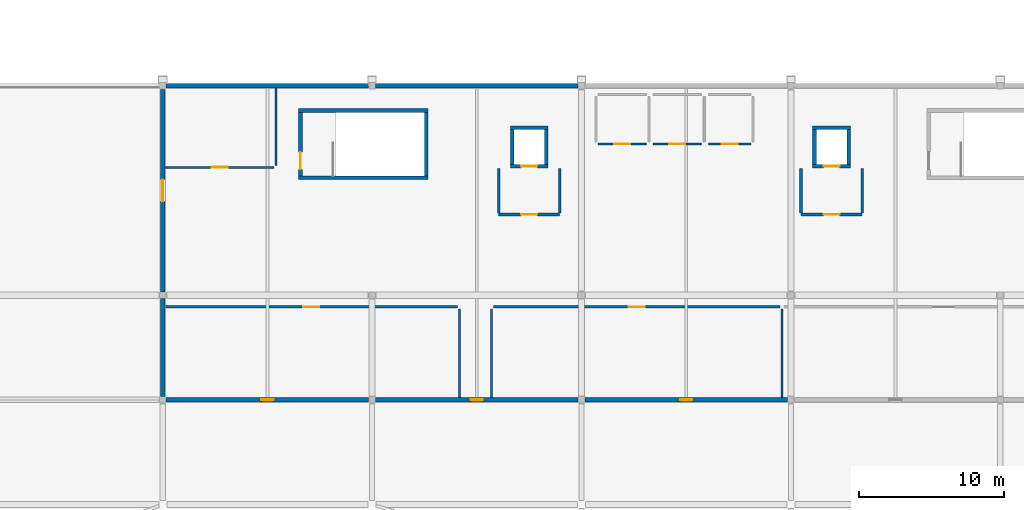
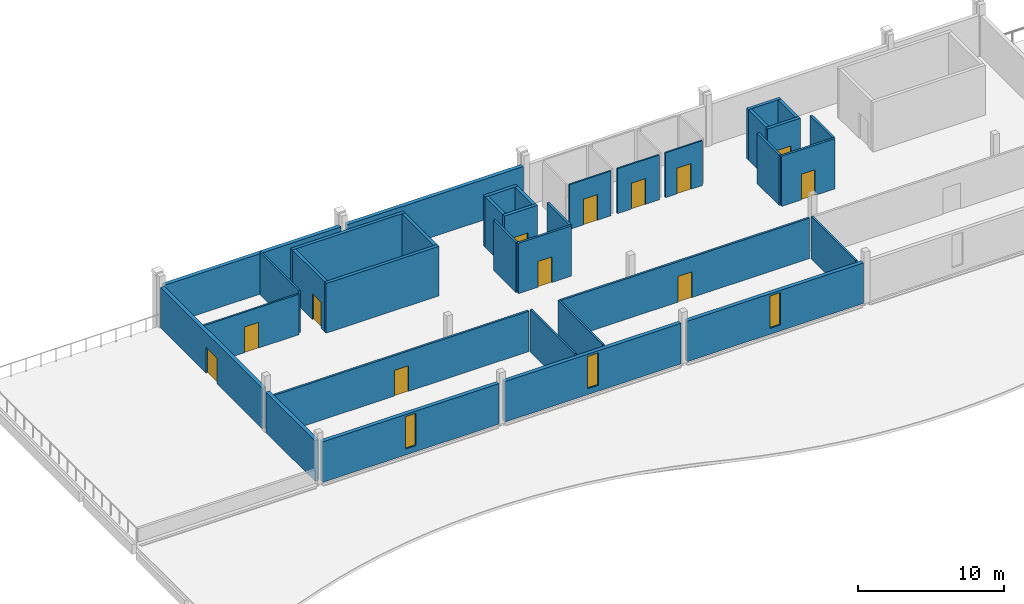
# One storey, part 6 of 23: 35 walls, 12 doors, 3 windows, 15 openings.
"""IFC4 building model written with IfcOpenShell, lengths in metres."""

from ifc_helpers import new_model, si_unit, direction, frame, frame_2d, origin, place, context, subcontext, project, spatial, rectangle, extrude, material, layer, layer_set, type_object, element, fill, save


model = new_model("IFC4")

# Units and contexts
model_context = context("Model", 3, precision=1e-05, world=origin(), true_north=direction((0.0, 1.0)))
body_context = subcontext(model_context, "Body", "Model", "MODEL_VIEW")
ifc_project = project(units=[si_unit("LENGTHUNIT", "METRE"), si_unit("AREAUNIT", "SQUARE_METRE"), si_unit("VOLUMEUNIT", "CUBIC_METRE"), si_unit("PLANEANGLEUNIT", "RADIAN"), si_unit("MASSUNIT", "GRAM", prefix="KILO")], contexts=[model_context])

# Site, building, storey
site_placement = place(None, origin())
site = spatial("IfcSite", under=ifc_project, at=site_placement, CompositionType="ELEMENT")
building_placement = place(site_placement, origin())
building = spatial("IfcBuilding", under=site, at=building_placement, Name="Cendralis Lancet Convention Centre", CompositionType="ELEMENT")
storey_placement = place(building_placement, frame((0.0, 0.0, 19.800048828125)))
storey = spatial("IfcBuildingStorey", under=building, at=storey_placement, Name="L04", CompositionType="ELEMENT", Elevation=19.800048828125)

# Wall
ifc_material_1 = material(Name="Buff sandstone ashlar and Concrete G40 (C40/50)", Category="masonry")
ifc_layer_1 = layer(ifc_material_1, 0.300048828125, Name="Buff sandstone ashlar and Concrete G40 (C40/50)")
ifc_layer_set_1 = layer_set([ifc_layer_1], Name="Buff sandstone ashlar and Concrete G40 (C40/50)")
wall_type_1 = type_object("IfcWallType", Name="ARC-EW-W300", PredefinedType="STANDARD", material=ifc_layer_set_1)
wall_1_placement = place(storey_placement, frame((14.633056640625, 36.0, 0.0), z_axis=(0.0, 0.0, 1.0), x_axis=(1.0, 0.0, 0.0)))
element("IfcWall", 1, at=wall_1_placement, inside=storey, type_object=wall_type_1, Name="L04 V4 Exterior Wall EW-07 #0231", PredefinedType="STANDARD", context=body_context, shape_type="SweptSolid", body=[
    extrude(rectangle(XDim=13.933837890625, YDim=0.300048828125, at=frame_2d((6.966796875, 0.0))), origin(), (0.0, 0.0, 1.0), 3.385009765625),
])

# Wall, opening, window
wall_2_placement = place(storey_placement, frame((28.56689453125, 14.39990234375, 0.0), z_axis=(0.0, 0.0, 1.0), x_axis=(-1.0, 0.0, 0.0)))
wall_2 = element("IfcWall", 2, at=wall_2_placement, inside=storey, type_object=wall_type_1, Name="L04 V4 Exterior Wall EW-07 #0232", PredefinedType="STANDARD", context=body_context, shape_type="SweptSolid", body=[
    extrude(rectangle(XDim=13.933837890625, YDim=0.300048828125, at=frame_2d((6.966796875, 0.0))), origin(), (0.0, 0.0, 1.0), 3.385009765625),
])
opening_1_placement = place(wall_2_placement, frame((6.547119140625, 0.0, 0.5)))
opening_1 = element("IfcOpeningElement", 3, at=opening_1_placement, cuts=wall_2, Name="Opening WN-15", PredefinedType="OPENING", context=body_context, shape_type="SweptSolid", body=[
    extrude(rectangle(XDim=0.840087890625, YDim=2.699951171875, at=frame_2d((0.419921875, 1.35009765625))), frame((0.0, 0.159912109375, 0.0), z_axis=(0.0, -1.0, 0.0), x_axis=(1.0, 0.0, 0.0)), (0.0, 0.0, 1.0), 0.320068359375),
])
ifc_material_2 = material(Name="Double-glazed low-E solar-control glass", Category="glass")
window_type = type_object("IfcWindowType", Name="ARC-WN-LW15", PartitioningType="SINGLE_PANEL", PredefinedType="WINDOW", material=ifc_material_2)
window_1_placement = place(opening_1_placement, origin())
window_1 = element("IfcWindow", 4, at=window_1_placement, inside=storey, type_object=window_type, Name="Gothic Lancet Window WN-15 #0466", OverallHeight=2.699951171875, OverallWidth=0.840087890625, PartitioningType="SINGLE_PANEL", PredefinedType="WINDOW", context=body_context, shape_type="SweptSolid", body=[
    extrude(rectangle(XDim=0.840087890625, YDim=2.699951171875, at=frame_2d((0.419921875, 1.35009765625))), frame((0.0, 0.030029296875, 0.0), z_axis=(0.0, -1.0, 0.0), x_axis=(1.0, 0.0, 0.0)), (0.0, 0.0, 1.0), 0.06005859375),
])
fill(opening_1, window_1)

# Wall
wall_3_placement = place(storey_placement, frame((29.032958984375, 36.0, 0.0), z_axis=(0.0, 0.0, 1.0), x_axis=(1.0, 0.0, 0.0)))
element("IfcWall", 5, at=wall_3_placement, inside=storey, type_object=wall_type_1, Name="L04 V4 Exterior Wall EW-07 #0233", PredefinedType="STANDARD", context=body_context, shape_type="SweptSolid", body=[
    extrude(rectangle(XDim=13.93408203125, YDim=0.300048828125, at=frame_2d((6.967041015625, 0.0))), origin(), (0.0, 0.0, 1.0), 3.385009765625),
])

# Wall, opening, window
wall_4_placement = place(storey_placement, frame((42.967041015625, 14.39990234375, 0.0), z_axis=(0.0, 0.0, 1.0), x_axis=(-1.0, 0.0, 0.0)))
wall_4 = element("IfcWall", 6, at=wall_4_placement, inside=storey, type_object=wall_type_1, Name="L04 V4 Exterior Wall EW-07 #0234", PredefinedType="STANDARD", context=body_context, shape_type="SweptSolid", body=[
    extrude(rectangle(XDim=13.93408203125, YDim=0.300048828125, at=frame_2d((6.967041015625, 0.0))), origin(), (0.0, 0.0, 1.0), 3.385009765625),
])
opening_2_placement = place(wall_4_placement, frame((6.547119140625, 0.0, 0.5)))
opening_2 = element("IfcOpeningElement", 7, at=opening_2_placement, cuts=wall_4, Name="Opening WN-15", PredefinedType="OPENING", context=body_context, shape_type="SweptSolid", body=[
    extrude(rectangle(XDim=0.840087890625, YDim=2.699951171875, at=frame_2d((0.419921875, 1.35009765625))), frame((0.0, 0.159912109375, 0.0), z_axis=(0.0, -1.0, 0.0), x_axis=(1.0, 0.0, 0.0)), (0.0, 0.0, 1.0), 0.320068359375),
])
window_2_placement = place(opening_2_placement, origin())
window_2 = element("IfcWindow", 8, at=window_2_placement, inside=storey, type_object=window_type, Name="Gothic Lancet Window WN-15 #0467", OverallHeight=2.699951171875, OverallWidth=0.840087890625, PartitioningType="SINGLE_PANEL", PredefinedType="WINDOW", context=body_context, shape_type="SweptSolid", body=[
    extrude(rectangle(XDim=0.840087890625, YDim=2.699951171875, at=frame_2d((0.419921875, 1.35009765625))), frame((0.0, 0.030029296875, 0.0), z_axis=(0.0, -1.0, 0.0), x_axis=(1.0, 0.0, 0.0)), (0.0, 0.0, 1.0), 0.06005859375),
])
fill(opening_2, window_2)

wall_5_placement = place(storey_placement, frame((57.366943359375, 14.39990234375, 0.0), z_axis=(0.0, 0.0, 1.0), x_axis=(-1.0, 0.0, 0.0)))
wall_5 = element("IfcWall", 9, at=wall_5_placement, inside=storey, type_object=wall_type_1, Name="L04 V4 Exterior Wall EW-07 #0236", PredefinedType="STANDARD", context=body_context, shape_type="SweptSolid", body=[
    extrude(rectangle(XDim=13.933837890625, YDim=0.300048828125, at=frame_2d((6.966796875, 0.0))), origin(), (0.0, 0.0, 1.0), 3.385009765625),
])
opening_3_placement = place(wall_5_placement, frame((6.547119140625, 0.0, 0.5)))
opening_3 = element("IfcOpeningElement", 10, at=opening_3_placement, cuts=wall_5, Name="Opening WN-15", PredefinedType="OPENING", context=body_context, shape_type="SweptSolid", body=[
    extrude(rectangle(XDim=0.840087890625, YDim=2.699951171875, at=frame_2d((0.419921875, 1.35009765625))), frame((0.0, 0.159912109375, 0.0), z_axis=(0.0, -1.0, 0.0), x_axis=(1.0, 0.0, 0.0)), (0.0, 0.0, 1.0), 0.320068359375),
])
window_3_placement = place(opening_3_placement, origin())
window_3 = element("IfcWindow", 11, at=window_3_placement, inside=storey, type_object=window_type, Name="Gothic Lancet Window WN-15 #0468", OverallHeight=2.699951171875, OverallWidth=0.840087890625, PartitioningType="SINGLE_PANEL", PredefinedType="WINDOW", context=body_context, shape_type="SweptSolid", body=[
    extrude(rectangle(XDim=0.840087890625, YDim=2.699951171875, at=frame_2d((0.419921875, 1.35009765625))), frame((0.0, 0.030029296875, 0.0), z_axis=(0.0, -1.0, 0.0), x_axis=(1.0, 0.0, 0.0)), (0.0, 0.0, 1.0), 0.06005859375),
])
fill(opening_3, window_3)

# Wall
wall_6_placement = place(storey_placement, frame((14.39990234375, 14.633056640625, 0.0), z_axis=(0.0, 0.0, 1.0), x_axis=(0.0, 1.0, 0.0)))
element("IfcWall", 12, at=wall_6_placement, inside=storey, type_object=wall_type_1, Name="L04 V4 Exterior Wall EW-07 #0241", PredefinedType="STANDARD", context=body_context, shape_type="SweptSolid", body=[
    extrude(rectangle(XDim=6.73388671875, YDim=0.300048828125, at=frame_2d((3.366943359375, 0.0))), origin(), (0.0, 0.0, 1.0), 3.385009765625),
])

# Wall, opening, door
wall_7_placement = place(storey_placement, frame((14.39990234375, 21.8330078125, 0.0), z_axis=(0.0, 0.0, 1.0), x_axis=(0.0, 1.0, 0.0)))
wall_7 = element("IfcWall", 13, at=wall_7_placement, inside=storey, type_object=wall_type_1, Name="L04 V4 Exterior Wall EW-07 #0242", PredefinedType="STANDARD", context=body_context, shape_type="SweptSolid", body=[
    extrude(rectangle(XDim=13.93408203125, YDim=0.300048828125, at=frame_2d((6.967041015625, 0.0))), origin(), (0.0, 0.0, 1.0), 3.385009765625),
])
opening_4_placement = place(wall_7_placement, frame((6.217041015625, 0.0, 0.0)))
opening_4 = element("IfcOpeningElement", 14, at=opening_4_placement, cuts=wall_7, Name="Opening TR-D3", PredefinedType="OPENING", context=body_context, shape_type="SweptSolid", body=[
    extrude(rectangle(XDim=1.5, YDim=2.14990234375, at=frame_2d((0.75, 1.074951171875))), frame((0.0, 0.159912109375, 0.0), z_axis=(0.0, -1.0, 0.0), x_axis=(1.0, 0.0, 0.0)), (0.0, 0.0, 1.0), 0.320068359375),
])
ifc_material_3 = material(Name="Anodised bronze architectural aluminium", Category="aluminium")
door_type_1 = type_object("IfcDoorType", Name="ARC-DR-TR15", OperationType="NOTDEFINED", PredefinedType="DOOR", material=ifc_material_3)
door_1_placement = place(opening_4_placement, origin())
door_1 = element("IfcDoor", 15, at=door_1_placement, inside=storey, type_object=door_type_1, Name="L04-D001 Terrace Access Door #050", OperationType="DOUBLE_DOOR_SINGLE_SWING", OverallHeight=2.14990234375, OverallWidth=1.5, PredefinedType="DOOR", context=body_context, shape_type="SweptSolid", body=[
    extrude(rectangle(XDim=1.5, YDim=2.14990234375, at=frame_2d((0.75, 1.074951171875))), frame((0.0, 0.02490234375, 0.0), z_axis=(0.0, -1.0, 0.0), x_axis=(1.0, 0.0, 0.0)), (0.0, 0.0, 1.0), 0.050048828125),
])
fill(opening_4, door_1)

ifc_material_4 = material(Name="Acoustic fire-rated gypsum board on steel studs", Category="steel")
ifc_layer_2 = layer(ifc_material_4, 0.1201171875, Name="Acoustic fire-rated gypsum board on steel studs")
ifc_layer_set_2 = layer_set([ifc_layer_2], Name="Acoustic fire-rated gypsum board on steel studs")
wall_type_2 = type_object("IfcWallType", Name="ARC-IW-P120", PredefinedType="PARTITIONING", material=ifc_layer_set_2)
wall_8_placement = place(storey_placement, frame((44.35009765625, 32.0, 0.0), z_axis=(0.0, 0.0, 1.0), x_axis=(1.0, 0.0, 0.0)))
wall_8 = element("IfcWall", 16, at=wall_8_placement, inside=storey, type_object=wall_type_2, Name="L04 Interior Partition IW-05 #0314", PredefinedType="PARTITIONING", context=body_context, shape_type="SweptSolid", body=[
    extrude(rectangle(XDim=3.2998046875, YDim=0.1201171875, at=frame_2d((1.64990234375, 0.0))), origin(), (0.0, 0.0, 1.0), 3.75),
])
opening_5_placement = place(wall_8_placement, frame((1.10009765625, 0.0, 0.0)))
opening_5 = element("IfcOpeningElement", 17, at=opening_5_placement, cuts=wall_8, Name="Opening FD-11", PredefinedType="OPENING", context=body_context, shape_type="SweptSolid", body=[
    extrude(rectangle(XDim=1.10009765625, YDim=2.14990234375, at=frame_2d((0.550048828125, 1.074951171875))), frame((0.0, 0.070068359375, 0.0), z_axis=(0.0, -1.0, 0.0), x_axis=(1.0, 0.0, 0.0)), (0.0, 0.0, 1.0), 0.14013671875),
])
ifc_material_5 = material(Name="Steel S355", Category="steel")
door_type_2 = type_object("IfcDoorType", Name="ARC-DR-FF11", OperationType="NOTDEFINED", PredefinedType="DOOR", material=ifc_material_5)
door_2_placement = place(opening_5_placement, frame((1.10009765625, 0.0, 0.0), z_axis=(0.0, 0.0, 1.0), x_axis=(-1.0, 0.0, 0.0)))
door_2 = element("IfcDoor", 18, at=door_2_placement, inside=storey, type_object=door_type_2, Name="L04-D008 L04 Interior Door FD-11 #0105", OperationType="SINGLE_SWING_RIGHT", OverallHeight=2.14990234375, OverallWidth=1.10009765625, PredefinedType="DOOR", context=body_context, shape_type="SweptSolid", body=[
    extrude(rectangle(XDim=1.10009765625, YDim=2.14990234375, at=frame_2d((0.550048828125, 1.074951171875))), frame((0.0, 0.02490234375, 0.0), z_axis=(0.0, -1.0, 0.0), x_axis=(1.0, 0.0, 0.0)), (0.0, 0.0, 1.0), 0.050048828125),
])
fill(opening_5, door_2)

wall_9_placement = place(storey_placement, frame((48.14990234375, 32.0, 0.0), z_axis=(0.0, 0.0, 1.0), x_axis=(1.0, 0.0, 0.0)))
wall_9 = element("IfcWall", 19, at=wall_9_placement, inside=storey, type_object=wall_type_2, Name="L04 Interior Partition IW-05 #0318", PredefinedType="PARTITIONING", context=body_context, shape_type="SweptSolid", body=[
    extrude(rectangle(XDim=3.300048828125, YDim=0.1201171875, at=frame_2d((1.64990234375, 0.0))), origin(), (0.0, 0.0, 1.0), 3.75),
])
opening_6_placement = place(wall_9_placement, frame((1.10009765625, 0.0, 0.0)))
opening_6 = element("IfcOpeningElement", 20, at=opening_6_placement, cuts=wall_9, Name="Opening FD-11", PredefinedType="OPENING", context=body_context, shape_type="SweptSolid", body=[
    extrude(rectangle(XDim=1.10009765625, YDim=2.14990234375, at=frame_2d((0.550048828125, 1.074951171875))), frame((0.0, 0.070068359375, 0.0), z_axis=(0.0, -1.0, 0.0), x_axis=(1.0, 0.0, 0.0)), (0.0, 0.0, 1.0), 0.14013671875),
])
door_3_placement = place(opening_6_placement, origin())
door_3 = element("IfcDoor", 21, at=door_3_placement, inside=storey, type_object=door_type_2, Name="L04-D009 L04 Interior Door FD-11 #0106", OperationType="SINGLE_SWING_LEFT", OverallHeight=2.14990234375, OverallWidth=1.10009765625, PredefinedType="DOOR", context=body_context, shape_type="SweptSolid", body=[
    extrude(rectangle(XDim=1.10009765625, YDim=2.14990234375, at=frame_2d((0.550048828125, 1.074951171875))), frame((0.0, 0.02490234375, 0.0), z_axis=(0.0, -1.0, 0.0), x_axis=(1.0, 0.0, 0.0)), (0.0, 0.0, 1.0), 0.050048828125),
])
fill(opening_6, door_3)

wall_10_placement = place(storey_placement, frame((51.949951171875, 32.0, 0.0), z_axis=(0.0, 0.0, 1.0), x_axis=(1.0, 0.0, 0.0)))
wall_10 = element("IfcWall", 22, at=wall_10_placement, inside=storey, type_object=wall_type_2, Name="L04 Interior Partition IW-05 #0321", PredefinedType="PARTITIONING", context=body_context, shape_type="SweptSolid", body=[
    extrude(rectangle(XDim=2.900146484375, YDim=0.1201171875, at=frame_2d((1.4501953125, 0.0))), origin(), (0.0, 0.0, 1.0), 3.75),
])
opening_7_placement = place(wall_10_placement, frame((0.89990234375, 0.0, 0.0)))
opening_7 = element("IfcOpeningElement", 23, at=opening_7_placement, cuts=wall_10, Name="Opening FD-11", PredefinedType="OPENING", context=body_context, shape_type="SweptSolid", body=[
    extrude(rectangle(XDim=1.10009765625, YDim=2.14990234375, at=frame_2d((0.550048828125, 1.074951171875))), frame((0.0, 0.070068359375, 0.0), z_axis=(0.0, -1.0, 0.0), x_axis=(1.0, 0.0, 0.0)), (0.0, 0.0, 1.0), 0.14013671875),
])
door_4_placement = place(opening_7_placement, frame((1.10009765625, 0.0, 0.0), z_axis=(0.0, 0.0, 1.0), x_axis=(-1.0, 0.0, 0.0)))
door_4 = element("IfcDoor", 24, at=door_4_placement, inside=storey, type_object=door_type_2, Name="L04-D010 L04 Interior Door FD-11 #0107", OperationType="SINGLE_SWING_RIGHT", OverallHeight=2.14990234375, OverallWidth=1.10009765625, PredefinedType="DOOR", context=body_context, shape_type="SweptSolid", body=[
    extrude(rectangle(XDim=1.10009765625, YDim=2.14990234375, at=frame_2d((0.550048828125, 1.074951171875))), frame((0.0, 0.02490234375, 0.0), z_axis=(0.0, -1.0, 0.0), x_axis=(1.0, 0.0, 0.0)), (0.0, 0.0, 1.0), 0.050048828125),
])
fill(opening_7, door_4)

# Walls
ifc_layer_3 = layer(ifc_material_4, 0.139892578125, Name="Acoustic fire-rated gypsum board on steel studs")
ifc_layer_set_3 = layer_set([ifc_layer_3], Name="Acoustic fire-rated gypsum board on steel studs")
wall_type_3 = type_object("IfcWallType", Name="ARC-IW-P140", PredefinedType="PARTITIONING", material=ifc_layer_set_3)
for number, where, z_axis, x_axis, name in (
    (25, (34.800048828125, 14.56005859375, 0.0), (0.0, 0.0, 1.0), (0.0, 1.0, 0.0), "L04 Interior Partition IW-04 #0307"),
    (26, (37.0, 14.56005859375, 0.0), (0.0, 0.0, 1.0), (0.0, 1.0, 0.0), "L04 Interior Partition IW-04 #0309"),
    (27, (57.0, 14.56005859375, 0.0), (0.0, 0.0, 1.0), (0.0, 1.0, 0.0), "L04 Interior Partition IW-04 #0310"),
):
    element("IfcWall", number, at=place(storey_placement, frame(where, z_axis=z_axis, x_axis=x_axis)), inside=storey, type_object=wall_type_3, Name=name, PredefinedType="PARTITIONING", context=body_context, shape_type="SweptSolid", body=[
        extrude(rectangle(XDim=6.099853515625, YDim=0.139892578125, at=frame_2d((3.0498046875, 0.0))), origin(), (0.0, 0.0, 1.0), 3.534912109375),
    ])

# Wall, opening, door
wall_11_placement = place(storey_placement, frame((14.56005859375, 30.39990234375, 0.0), z_axis=(0.0, 0.0, 1.0), x_axis=(1.0, 0.0, 0.0)))
wall_11 = element("IfcWall", 28, at=wall_11_placement, inside=storey, type_object=wall_type_3, Name="L04 Interior Partition IW-04 #0312", PredefinedType="PARTITIONING", context=body_context, shape_type="SweptSolid", body=[
    extrude(rectangle(XDim=7.5, YDim=0.139892578125, at=frame_2d((3.75, 0.0))), origin(), (0.0, 0.0, 1.0), 3.385009765625),
])
opening_8_placement = place(wall_11_placement, frame((3.199951171875, 0.0, 0.0)))
opening_8 = element("IfcOpeningElement", 29, at=opening_8_placement, cuts=wall_11, Name="Opening FD-11", PredefinedType="OPENING", context=body_context, shape_type="SweptSolid", body=[
    extrude(rectangle(XDim=1.10009765625, YDim=2.14990234375, at=frame_2d((0.550048828125, 1.074951171875))), frame((0.0, 0.079833984375, 0.0), z_axis=(0.0, -1.0, 0.0), x_axis=(1.0, 0.0, 0.0)), (0.0, 0.0, 1.0), 0.159912109375),
])
door_5_placement = place(opening_8_placement, origin())
door_5 = element("IfcDoor", 30, at=door_5_placement, inside=storey, type_object=door_type_2, Name="L04-D007 L04 Interior Door FD-11 #0104", OperationType="SINGLE_SWING_LEFT", OverallHeight=2.14990234375, OverallWidth=1.10009765625, PredefinedType="DOOR", context=body_context, shape_type="SweptSolid", body=[
    extrude(rectangle(XDim=1.10009765625, YDim=2.14990234375, at=frame_2d((0.550048828125, 1.074951171875))), frame((0.0, 0.02490234375, 0.0), z_axis=(0.0, -1.0, 0.0), x_axis=(1.0, 0.0, 0.0)), (0.0, 0.0, 1.0), 0.050048828125),
])
fill(opening_8, door_5)

# Wall
wall_12_placement = place(storey_placement, frame((22.199951171875, 30.5400390625, 0.0), z_axis=(0.0, 0.0, 1.0), x_axis=(0.0, 1.0, 0.0)))
element("IfcWall", 31, at=wall_12_placement, inside=storey, type_object=wall_type_3, Name="L04 Interior Partition IW-04 #0313", PredefinedType="PARTITIONING", context=body_context, shape_type="SweptSolid", body=[
    extrude(rectangle(XDim=5.300048828125, YDim=0.139892578125, at=frame_2d((2.64990234375, 0.0))), origin(), (0.0, 0.0, 1.0), 3.534912109375),
])

# Wall, opening, door
ifc_layer_4 = layer(ifc_material_4, 0.159912109375, Name="Acoustic fire-rated gypsum board on steel studs")
ifc_layer_set_4 = layer_set([ifc_layer_4], Name="Acoustic fire-rated gypsum board on steel studs")
wall_type_4 = type_object("IfcWallType", Name="ARC-IW-P160", PredefinedType="PARTITIONING", material=ifc_layer_set_4)
wall_13_placement = place(storey_placement, frame((14.56005859375, 20.800048828125, 0.0), z_axis=(0.0, 0.0, 1.0), x_axis=(1.0, 0.0, 0.0)))
wall_13 = element("IfcWall", 32, at=wall_13_placement, inside=storey, type_object=wall_type_4, Name="L04 Interior Partition IW-03 #0306", PredefinedType="PARTITIONING", context=body_context, shape_type="SweptSolid", body=[
    extrude(rectangle(XDim=20.099853515625, YDim=0.159912109375, at=frame_2d((10.0498046875, 0.0))), origin(), (0.0, 0.0, 1.0), 3.385009765625),
])
opening_9_placement = place(wall_13_placement, frame((9.5, 0.0, 0.0)))
opening_9 = element("IfcOpeningElement", 33, at=opening_9_placement, cuts=wall_13, Name="Opening FD-11", PredefinedType="OPENING", context=body_context, shape_type="SweptSolid", body=[
    extrude(rectangle(XDim=1.10009765625, YDim=2.14990234375, at=frame_2d((0.550048828125, 1.074951171875))), frame((0.0, 0.08984375, 0.0), z_axis=(0.0, -1.0, 0.0), x_axis=(1.0, 0.0, 0.0)), (0.0, 0.0, 1.0), 0.179931640625),
])
door_6_placement = place(opening_9_placement, frame((1.10009765625, 0.0, 0.0), z_axis=(0.0, 0.0, 1.0), x_axis=(-1.0, 0.0, 0.0)))
door_6 = element("IfcDoor", 34, at=door_6_placement, inside=storey, type_object=door_type_2, Name="L04-D004 L04 Interior Door FD-11 #0101", OperationType="SINGLE_SWING_LEFT", OverallHeight=2.14990234375, OverallWidth=1.10009765625, PredefinedType="DOOR", context=body_context, shape_type="SweptSolid", body=[
    extrude(rectangle(XDim=1.10009765625, YDim=2.14990234375, at=frame_2d((0.550048828125, 1.074951171875))), frame((0.0, 0.02490234375, 0.0), z_axis=(0.0, -1.0, 0.0), x_axis=(1.0, 0.0, 0.0)), (0.0, 0.0, 1.0), 0.050048828125),
])
fill(opening_9, door_6)

wall_14_placement = place(storey_placement, frame((37.139892578125, 20.800048828125, 0.0), z_axis=(0.0, 0.0, 1.0), x_axis=(1.0, 0.0, 0.0)))
wall_14 = element("IfcWall", 35, at=wall_14_placement, inside=storey, type_object=wall_type_4, Name="L04 Interior Partition IW-03 #0308", PredefinedType="PARTITIONING", context=body_context, shape_type="SweptSolid", body=[
    extrude(rectangle(XDim=19.72021484375, YDim=0.159912109375, at=frame_2d((9.860107421875, 0.0))), origin(), (0.0, 0.0, 1.0), 3.385009765625),
])
opening_10_placement = place(wall_14_placement, frame((9.31005859375, 0.0, 0.0)))
opening_10 = element("IfcOpeningElement", 36, at=opening_10_placement, cuts=wall_14, Name="Opening FD-11", PredefinedType="OPENING", context=body_context, shape_type="SweptSolid", body=[
    extrude(rectangle(XDim=1.10009765625, YDim=2.14990234375, at=frame_2d((0.550048828125, 1.074951171875))), frame((0.0, 0.08984375, 0.0), z_axis=(0.0, -1.0, 0.0), x_axis=(1.0, 0.0, 0.0)), (0.0, 0.0, 1.0), 0.179931640625),
])
door_7_placement = place(opening_10_placement, origin())
door_7 = element("IfcDoor", 37, at=door_7_placement, inside=storey, type_object=door_type_2, Name="L04-D005 L04 Interior Door FD-11 #0102", OperationType="SINGLE_SWING_RIGHT", OverallHeight=2.14990234375, OverallWidth=1.10009765625, PredefinedType="DOOR", context=body_context, shape_type="SweptSolid", body=[
    extrude(rectangle(XDim=1.10009765625, YDim=2.14990234375, at=frame_2d((0.550048828125, 1.074951171875))), frame((0.0, 0.02490234375, 0.0), z_axis=(0.0, -1.0, 0.0), x_axis=(1.0, 0.0, 0.0)), (0.0, 0.0, 1.0), 0.050048828125),
])
fill(opening_10, door_7)

ifc_layer_5 = layer(ifc_material_4, 0.179931640625, Name="Acoustic fire-rated gypsum board on steel studs")
ifc_layer_set_5 = layer_set([ifc_layer_5], Name="Acoustic fire-rated gypsum board on steel studs")
wall_type_5 = type_object("IfcWallType", Name="ARC-IW-P180", PredefinedType="PARTITIONING", material=ifc_layer_set_5)
wall_15_placement = place(storey_placement, frame((41.699951171875, 27.14990234375, 0.0), z_axis=(0.0, 0.0, 1.0), x_axis=(-1.0, 0.0, 0.0)))
wall_15 = element("IfcWall", 38, at=wall_15_placement, inside=storey, type_object=wall_type_5, Name="L04 Lift Lobby LP-03 Front Wall", PredefinedType="PARTITIONING", context=body_context, shape_type="SweptSolid", body=[
    extrude(rectangle(XDim=4.199951171875, YDim=0.179931640625, at=frame_2d((2.10009765625, 0.0))), origin(), (0.0, 0.0, 1.0), 4.199951171875),
])
opening_11_placement = place(wall_15_placement, frame((1.550048828125, 0.0, 0.0)))
opening_11 = element("IfcOpeningElement", 39, at=opening_11_placement, cuts=wall_15, Name="Opening FD-11", PredefinedType="OPENING", context=body_context, shape_type="SweptSolid", body=[
    extrude(rectangle(XDim=1.10009765625, YDim=2.14990234375, at=frame_2d((0.550048828125, 1.074951171875))), frame((0.0, 0.099853515625, 0.0), z_axis=(0.0, -1.0, 0.0), x_axis=(1.0, 0.0, 0.0)), (0.0, 0.0, 1.0), 0.199951171875),
])
door_8_placement = place(opening_11_placement, origin())
door_8 = element("IfcDoor", 40, at=door_8_placement, inside=storey, type_object=door_type_2, Name="L04-D029 L04 Lift Lobby LP-03 Fire Door", OperationType="SINGLE_SWING_RIGHT", OverallHeight=2.14990234375, OverallWidth=1.10009765625, PredefinedType="DOOR", context=body_context, shape_type="SweptSolid", body=[
    extrude(rectangle(XDim=1.10009765625, YDim=2.14990234375, at=frame_2d((0.550048828125, 1.074951171875))), frame((0.0, 0.02490234375, 0.0), z_axis=(0.0, -1.0, 0.0), x_axis=(1.0, 0.0, 0.0)), (0.0, 0.0, 1.0), 0.050048828125),
])
fill(opening_11, door_8)

# Walls
for number, where, z_axis, x_axis, name in (
    (41, (37.5, 27.25, 0.0), (0.0, 0.0, 1.0), (0.0, 1.0, 0.0), "L04 Lift Lobby LP-03 West Wall"),
    (42, (41.699951171875, 27.25, 0.0), (0.0, 0.0, 1.0), (0.0, 1.0, 0.0), "L04 Lift Lobby LP-03 East Wall"),
):
    element("IfcWall", number, at=place(storey_placement, frame(where, z_axis=z_axis, x_axis=x_axis)), inside=storey, type_object=wall_type_5, Name=name, PredefinedType="PARTITIONING", context=body_context, shape_type="SweptSolid", body=[
        extrude(rectangle(XDim=3.050048828125, YDim=0.179931640625, at=frame_2d((1.52490234375, 0.0))), origin(), (0.0, 0.0, 1.0), 4.199951171875),
    ])

# Wall, opening, door
wall_16_placement = place(storey_placement, frame((62.5, 27.14990234375, 0.0), z_axis=(0.0, 0.0, 1.0), x_axis=(-1.0, 0.0, 0.0)))
wall_16 = element("IfcWall", 43, at=wall_16_placement, inside=storey, type_object=wall_type_5, Name="L04 Lift Lobby LP-04 Front Wall", PredefinedType="PARTITIONING", context=body_context, shape_type="SweptSolid", body=[
    extrude(rectangle(XDim=4.199951171875, YDim=0.179931640625, at=frame_2d((2.10009765625, 0.0))), origin(), (0.0, 0.0, 1.0), 4.199951171875),
])
opening_12_placement = place(wall_16_placement, frame((1.550048828125, 0.0, 0.0)))
opening_12 = element("IfcOpeningElement", 44, at=opening_12_placement, cuts=wall_16, Name="Opening FD-11", PredefinedType="OPENING", context=body_context, shape_type="SweptSolid", body=[
    extrude(rectangle(XDim=1.10009765625, YDim=2.14990234375, at=frame_2d((0.550048828125, 1.074951171875))), frame((0.0, 0.099853515625, 0.0), z_axis=(0.0, -1.0, 0.0), x_axis=(1.0, 0.0, 0.0)), (0.0, 0.0, 1.0), 0.199951171875),
])
door_9_placement = place(opening_12_placement, origin())
door_9 = element("IfcDoor", 45, at=door_9_placement, inside=storey, type_object=door_type_2, Name="L04-D030 L04 Lift Lobby LP-04 Fire Door", OperationType="SINGLE_SWING_LEFT", OverallHeight=2.14990234375, OverallWidth=1.10009765625, PredefinedType="DOOR", context=body_context, shape_type="SweptSolid", body=[
    extrude(rectangle(XDim=1.10009765625, YDim=2.14990234375, at=frame_2d((0.550048828125, 1.074951171875))), frame((0.0, 0.02490234375, 0.0), z_axis=(0.0, -1.0, 0.0), x_axis=(1.0, 0.0, 0.0)), (0.0, 0.0, 1.0), 0.050048828125),
])
fill(opening_12, door_9)

# Walls
for number, where, z_axis, x_axis, name in (
    (46, (58.300048828125, 27.25, 0.0), (0.0, 0.0, 1.0), (0.0, 1.0, 0.0), "L04 Lift Lobby LP-04 West Wall"),
    (47, (62.5, 27.25, 0.0), (0.0, 0.0, 1.0), (0.0, 1.0, 0.0), "L04 Lift Lobby LP-04 East Wall"),
):
    element("IfcWall", number, at=place(storey_placement, frame(where, z_axis=z_axis, x_axis=x_axis)), inside=storey, type_object=wall_type_5, Name=name, PredefinedType="PARTITIONING", context=body_context, shape_type="SweptSolid", body=[
        extrude(rectangle(XDim=3.050048828125, YDim=0.179931640625, at=frame_2d((1.52490234375, 0.0))), origin(), (0.0, 0.0, 1.0), 4.199951171875),
    ])

# Wall, opening, door
ifc_material_6 = material(Name="Concrete G40 (C40/50)", Category="concrete")
ifc_layer_6 = layer(ifc_material_6, 0.25, Name="Concrete G40 (C40/50)")
ifc_layer_set_6 = layer_set([ifc_layer_6], Name="Concrete G40 (C40/50)")
wall_type_6 = type_object("IfcWallType", Name="STR-SW-CW250", PredefinedType="SHEAR", material=ifc_layer_set_6)
wall_17_placement = place(storey_placement, frame((23.875, 29.800048828125, 0.0), z_axis=(0.0, 0.0, 1.0), x_axis=(0.0, 1.0, 0.0)))
wall_17 = element("IfcWall", 48, at=wall_17_placement, inside=storey, type_object=wall_type_6, Name="L04 Stair Core ST-11 West Shear Wall", PredefinedType="SHEAR", context=body_context, shape_type="SweptSolid", body=[
    extrude(rectangle(XDim=4.3798828125, YDim=0.25, at=frame_2d((2.18994140625, 0.0))), origin(), (0.0, 0.0, 1.0), 4.14990234375),
])
opening_13_placement = place(wall_17_placement, frame((0.449951171875, 0.0, 0.0)))
opening_13 = element("IfcOpeningElement", 49, at=opening_13_placement, cuts=wall_17, Name="Opening SD-12", PredefinedType="OPENING", context=body_context, shape_type="SweptSolid", body=[
    extrude(rectangle(XDim=1.199951171875, YDim=2.14990234375, at=frame_2d((0.60009765625, 1.074951171875))), frame((0.0, 0.135009765625, 0.0), z_axis=(0.0, -1.0, 0.0), x_axis=(1.0, 0.0, 0.0)), (0.0, 0.0, 1.0), 0.27001953125),
])
door_type_3 = type_object("IfcDoorType", Name="ARC-DR-ST12", OperationType="NOTDEFINED", PredefinedType="DOOR", material=ifc_material_5)
door_10_placement = place(opening_13_placement, frame((1.199951171875, 0.0, 0.0), z_axis=(0.0, 0.0, 1.0), x_axis=(-1.0, 0.0, 0.0)))
door_10 = element("IfcDoor", 50, at=door_10_placement, inside=storey, type_object=door_type_3, Name="L04-D031 L04 Exit Stair ST-11 Fire Door", OperationType="SINGLE_SWING_LEFT", OverallHeight=2.14990234375, OverallWidth=1.199951171875, PredefinedType="DOOR", context=body_context, shape_type="SweptSolid", body=[
    extrude(rectangle(XDim=1.199951171875, YDim=2.14990234375, at=frame_2d((0.60009765625, 1.074951171875))), frame((0.0, 0.02490234375, 0.0), z_axis=(0.0, -1.0, 0.0), x_axis=(1.0, 0.0, 0.0)), (0.0, 0.0, 1.0), 0.050048828125),
])
fill(opening_13, door_10)

# Walls
wall_18_placement = place(storey_placement, frame((32.52490234375, 29.800048828125, 0.0), z_axis=(0.0, 0.0, 1.0), x_axis=(0.0, 1.0, 0.0)))
element("IfcWall", 51, at=wall_18_placement, inside=storey, type_object=wall_type_6, Name="L04 Stair Core ST-11 East Shear Wall", PredefinedType="SHEAR", context=body_context, shape_type="SweptSolid", body=[
    extrude(rectangle(XDim=4.3798828125, YDim=0.25, at=frame_2d((2.18994140625, 0.0))), origin(), (0.0, 0.0, 1.0), 4.14990234375),
])
for number, where, z_axis, x_axis, name in (
    (52, (23.75, 29.675048828125, 0.0), (0.0, 0.0, 1.0), (1.0, 0.0, 0.0), "L04 Stair Core ST-11 South Shear Wall"),
    (53, (23.75, 34.304931640625, 0.0), (0.0, 0.0, 1.0), (1.0, 0.0, 0.0), "L04 Stair Core ST-11 North Shear Wall"),
):
    element("IfcWall", number, at=place(storey_placement, frame(where, z_axis=z_axis, x_axis=x_axis)), inside=storey, type_object=wall_type_6, Name=name, PredefinedType="SHEAR", context=body_context, shape_type="SweptSolid", body=[
        extrude(rectangle(XDim=8.89990234375, YDim=0.25, at=frame_2d((4.449951171875, 0.0))), origin(), (0.0, 0.0, 1.0), 4.14990234375),
    ])

# Wall, opening, door
wall_19_placement = place(storey_placement, frame((38.300048828125, 30.47509765625, 0.0), z_axis=(0.0, 0.0, 1.0), x_axis=(1.0, 0.0, 0.0)))
wall_19 = element("IfcWall", 54, at=wall_19_placement, inside=storey, type_object=wall_type_6, Name="L04 Lift LP-03 South Shaft Wall", PredefinedType="SHEAR", context=body_context, shape_type="SweptSolid", body=[
    extrude(rectangle(XDim=2.599853515625, YDim=0.25, at=frame_2d((1.2998046875, 0.0))), origin(), (0.0, 0.0, 1.0), 4.199951171875),
])
opening_14_placement = place(wall_19_placement, frame((0.75, 0.0, 0.0)))
opening_14 = element("IfcOpeningElement", 55, at=opening_14_placement, cuts=wall_19, Name="Opening LD-11", PredefinedType="OPENING", context=body_context, shape_type="SweptSolid", body=[
    extrude(rectangle(XDim=1.10009765625, YDim=2.14990234375, at=frame_2d((0.550048828125, 1.074951171875))), frame((0.0, 0.135009765625, 0.0), z_axis=(0.0, -1.0, 0.0), x_axis=(1.0, 0.0, 0.0)), (0.0, 0.0, 1.0), 0.27001953125),
])
door_type_4 = type_object("IfcDoorType", Name="ARC-DR-LD11", OperationType="NOTDEFINED", PredefinedType="DOOR", material=ifc_material_3)
door_11_placement = place(opening_14_placement, origin())
door_11 = element("IfcDoor", 56, at=door_11_placement, inside=storey, type_object=door_type_4, Name="L04-D022 L04 Lift LP-03 Sliding Landing Door", OperationType="SLIDING_TO_RIGHT", OverallHeight=2.14990234375, OverallWidth=1.10009765625, PredefinedType="DOOR", context=body_context, shape_type="SweptSolid", body=[
    extrude(rectangle(XDim=1.10009765625, YDim=2.14990234375, at=frame_2d((0.550048828125, 1.074951171875))), frame((0.0, 0.02490234375, 0.0), z_axis=(0.0, -1.0, 0.0), x_axis=(1.0, 0.0, 0.0)), (0.0, 0.0, 1.0), 0.050048828125),
])
fill(opening_14, door_11)

# Walls
wall_20_placement = place(storey_placement, frame((38.300048828125, 33.125, 0.0), z_axis=(0.0, 0.0, 1.0), x_axis=(1.0, 0.0, 0.0)))
element("IfcWall", 57, at=wall_20_placement, inside=storey, type_object=wall_type_6, Name="L04 Lift LP-03 North Shaft Wall", PredefinedType="SHEAR", context=body_context, shape_type="SweptSolid", body=[
    extrude(rectangle(XDim=2.599853515625, YDim=0.25, at=frame_2d((1.2998046875, 0.0))), origin(), (0.0, 0.0, 1.0), 4.199951171875),
])
for number, where, z_axis, x_axis, name in (
    (58, (38.425048828125, 30.60009765625, 0.0), (0.0, 0.0, 1.0), (0.0, 1.0, 0.0), "L04 Lift LP-03 West Shaft Wall"),
    (59, (40.77490234375, 30.60009765625, 0.0), (0.0, 0.0, 1.0), (0.0, 1.0, 0.0), "L04 Lift LP-03 East Shaft Wall"),
):
    element("IfcWall", number, at=place(storey_placement, frame(where, z_axis=z_axis, x_axis=x_axis)), inside=storey, type_object=wall_type_6, Name=name, PredefinedType="SHEAR", context=body_context, shape_type="SweptSolid", body=[
        extrude(rectangle(XDim=2.39990234375, YDim=0.25, at=frame_2d((1.199951171875, 0.0))), origin(), (0.0, 0.0, 1.0), 4.199951171875),
    ])

# Wall, opening, door
wall_21_placement = place(storey_placement, frame((59.10009765625, 30.47509765625, 0.0), z_axis=(0.0, 0.0, 1.0), x_axis=(1.0, 0.0, 0.0)))
wall_21 = element("IfcWall", 60, at=wall_21_placement, inside=storey, type_object=wall_type_6, Name="L04 Lift LP-04 South Shaft Wall", PredefinedType="SHEAR", context=body_context, shape_type="SweptSolid", body=[
    extrude(rectangle(XDim=2.599853515625, YDim=0.25, at=frame_2d((1.2998046875, 0.0))), origin(), (0.0, 0.0, 1.0), 4.199951171875),
])
opening_15_placement = place(wall_21_placement, frame((0.75, 0.0, 0.0)))
opening_15 = element("IfcOpeningElement", 61, at=opening_15_placement, cuts=wall_21, Name="Opening LD-11", PredefinedType="OPENING", context=body_context, shape_type="SweptSolid", body=[
    extrude(rectangle(XDim=1.10009765625, YDim=2.14990234375, at=frame_2d((0.550048828125, 1.074951171875))), frame((0.0, 0.135009765625, 0.0), z_axis=(0.0, -1.0, 0.0), x_axis=(1.0, 0.0, 0.0)), (0.0, 0.0, 1.0), 0.27001953125),
])
door_12_placement = place(opening_15_placement, origin())
door_12 = element("IfcDoor", 62, at=door_12_placement, inside=storey, type_object=door_type_4, Name="L04-D023 L04 Lift LP-04 Sliding Landing Door", OperationType="SLIDING_TO_LEFT", OverallHeight=2.14990234375, OverallWidth=1.10009765625, PredefinedType="DOOR", context=body_context, shape_type="SweptSolid", body=[
    extrude(rectangle(XDim=1.10009765625, YDim=2.14990234375, at=frame_2d((0.550048828125, 1.074951171875))), frame((0.0, 0.02490234375, 0.0), z_axis=(0.0, -1.0, 0.0), x_axis=(1.0, 0.0, 0.0)), (0.0, 0.0, 1.0), 0.050048828125),
])
fill(opening_15, door_12)

# Walls
wall_22_placement = place(storey_placement, frame((59.10009765625, 33.125, 0.0), z_axis=(0.0, 0.0, 1.0), x_axis=(1.0, 0.0, 0.0)))
element("IfcWall", 63, at=wall_22_placement, inside=storey, type_object=wall_type_6, Name="L04 Lift LP-04 North Shaft Wall", PredefinedType="SHEAR", context=body_context, shape_type="SweptSolid", body=[
    extrude(rectangle(XDim=2.599853515625, YDim=0.25, at=frame_2d((1.2998046875, 0.0))), origin(), (0.0, 0.0, 1.0), 4.199951171875),
])
for number, where, z_axis, x_axis, name in (
    (64, (59.22509765625, 30.60009765625, 0.0), (0.0, 0.0, 1.0), (0.0, 1.0, 0.0), "L04 Lift LP-04 West Shaft Wall"),
    (65, (61.574951171875, 30.60009765625, 0.0), (0.0, 0.0, 1.0), (0.0, 1.0, 0.0), "L04 Lift LP-04 East Shaft Wall"),
):
    element("IfcWall", number, at=place(storey_placement, frame(where, z_axis=z_axis, x_axis=x_axis)), inside=storey, type_object=wall_type_6, Name=name, PredefinedType="SHEAR", context=body_context, shape_type="SweptSolid", body=[
        extrude(rectangle(XDim=2.39990234375, YDim=0.25, at=frame_2d((1.199951171875, 0.0))), origin(), (0.0, 0.0, 1.0), 4.199951171875),
    ])

save(model, "model.ifc")
